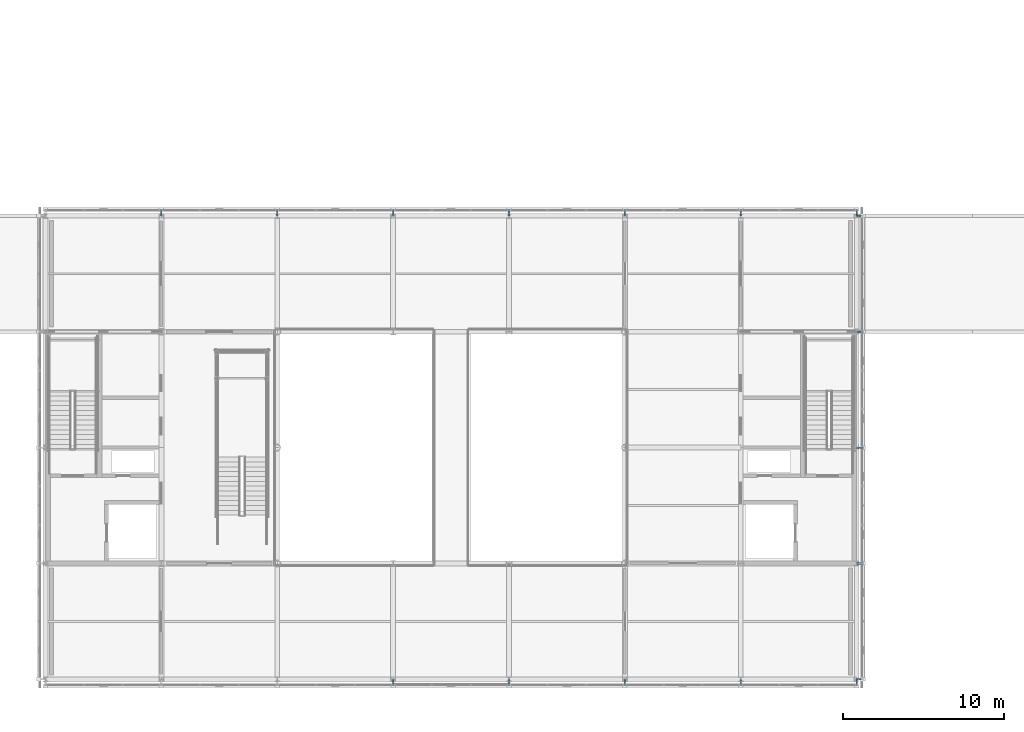
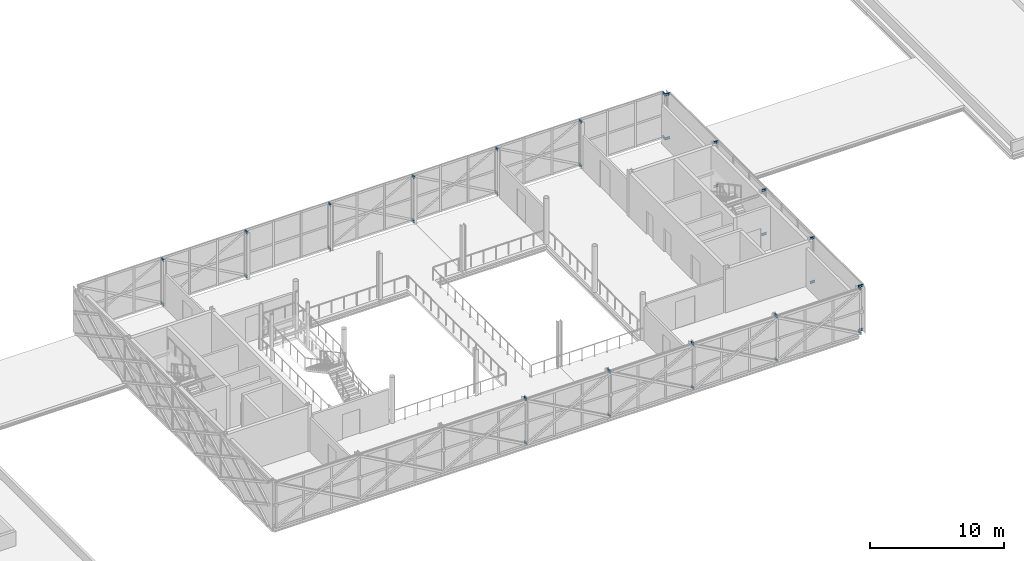
# One storey, part 62 of 103: 34 beams.
"""IFC4 building model written with IfcOpenShell, lengths in metres."""

from ifc_helpers import new_model, si_unit, direction, frame, origin, origin_2d, place, context, subcontext, project, spatial, i_section, extrude, material, material_profile, profile_set, type_object, element, save


model = new_model("IFC4")

# Units and contexts
model_context = context("Model", 3, precision=1e-05, world=origin(), true_north=direction((0.0, 1.0)))
body_context = subcontext(model_context, "Body", "Model", "MODEL_VIEW")
ifc_project = project(units=[si_unit("LENGTHUNIT", "METRE"), si_unit("AREAUNIT", "SQUARE_METRE"), si_unit("VOLUMEUNIT", "CUBIC_METRE"), si_unit("PLANEANGLEUNIT", "RADIAN"), si_unit("MASSUNIT", "GRAM", prefix="KILO")], contexts=[model_context])

# Site, building, storey
site_placement = place(None, origin())
site = spatial("IfcSite", under=ifc_project, at=site_placement, CompositionType="ELEMENT")
building_placement = place(site_placement, origin())
building = spatial("IfcBuilding", under=site, at=building_placement, Name="Zlatovets Crest Museum", CompositionType="ELEMENT")
storey_placement = place(building_placement, frame((0.0, 0.0, 12.89990234375)))
storey = spatial("IfcBuildingStorey", under=building, at=storey_placement, Name="L03", CompositionType="ELEMENT", Elevation=12.89990234375)

# Beams
ifc_material = material(Name="Structural steel S355J2", Category="steel")
ifc_material_profile = material_profile(ifc_material, i_section(OverallWidth=0.10009765625, OverallDepth=0.199951171875, WebThickness=0.005615234375, FlangeThickness=0.008544921875, FilletRadius=0.011962890625, at=origin_2d()), Name="IPE 200")
ifc_profile_set = profile_set([ifc_material_profile], Name="Structural steel S355J2")
beam_type = type_object("IfcBeamType", Name="Beam_PR-02", PredefinedType="LINTEL", material=ifc_profile_set)
for number, where, z_axis, x_axis, name in (
    (1, (79.199951171875, 0.0, 0.10009765625), (0.0, -1.0, 0.0), (1.0, 0.0, 0.0), "Lattice Structural Outrigger Tie"),
    (2, (79.199951171875, 0.0, 4.10009765625), (0.0, -1.0, 0.0), (1.0, 0.0, 0.0), "Lattice Structural Outrigger Tie"),
    (3, (86.39990234375, 0.0, 0.10009765625), (0.0, -1.0, 0.0), (1.0, 0.0, 0.0), "Lattice Structural Outrigger Tie"),
    (4, (86.39990234375, 0.0, 4.10009765625), (0.0, -1.0, 0.0), (1.0, 0.0, 0.0), "Lattice Structural Outrigger Tie"),
    (5, (93.60009765625, 0.0, 0.10009765625), (0.0, -1.0, 0.0), (1.0, 0.0, 0.0), "Lattice Structural Outrigger Tie"),
    (6, (93.60009765625, 0.0, 4.10009765625), (0.0, -1.0, 0.0), (1.0, 0.0, 0.0), "Lattice Structural Outrigger Tie"),
    (7, (100.800048828125, 0.0, 0.10009765625), (0.0, -1.0, 0.0), (1.0, 0.0, 0.0), "Lattice Structural Outrigger Tie"),
    (8, (100.800048828125, 0.0, 4.10009765625), (0.0, -1.0, 0.0), (1.0, 0.0, 0.0), "Lattice Structural Outrigger Tie"),
    (9, (108.0, 0.0, 0.10009765625), (0.0, -1.0, 0.0), (1.0, 0.0, 0.0), "Lattice Structural Outrigger Tie"),
    (10, (108.0, 0.0, 4.10009765625), (0.0, -1.0, 0.0), (1.0, 0.0, 0.0), "Lattice Structural Outrigger Tie"),
    (11, (108.0, 0.0, 0.10009765625), (1.0, 0.0, 0.0), (0.0, 1.0, 0.0), "Lattice Structural Outrigger Tie"),
    (12, (108.0, 0.0, 4.10009765625), (1.0, 0.0, 0.0), (0.0, 1.0, 0.0), "Lattice Structural Outrigger Tie"),
    (13, (108.0, 7.199951171875, 0.10009765625), (1.0, 0.0, 0.0), (0.0, 1.0, 0.0), "Lattice Structural Outrigger Tie"),
    (14, (108.0, 7.199951171875, 4.10009765625), (1.0, 0.0, 0.0), (0.0, 1.0, 0.0), "Lattice Structural Outrigger Tie"),
    (15, (108.0, 14.39990234375, 0.10009765625), (1.0, 0.0, 0.0), (0.0, 1.0, 0.0), "Lattice Structural Outrigger Tie"),
    (16, (108.0, 14.39990234375, 4.10009765625), (1.0, 0.0, 0.0), (0.0, 1.0, 0.0), "Lattice Structural Outrigger Tie"),
    (17, (108.0, 21.60009765625, 0.10009765625), (1.0, 0.0, 0.0), (0.0, 1.0, 0.0), "Lattice Structural Outrigger Tie"),
    (18, (108.0, 21.60009765625, 4.10009765625), (1.0, 0.0, 0.0), (0.0, 1.0, 0.0), "Lattice Structural Outrigger Tie"),
    (19, (108.0, 28.800048828125, 0.10009765625), (1.0, 0.0, 0.0), (0.0, 1.0, 0.0), "Lattice Structural Outrigger Tie"),
    (20, (108.0, 28.800048828125, 4.10009765625), (1.0, 0.0, 0.0), (0.0, 1.0, 0.0), "Lattice Structural Outrigger Tie"),
    (21, (108.0, 28.800048828125, 0.10009765625), (0.0, 1.0, 0.0), (-1.0, 0.0, 0.0), "Lattice Structural Outrigger Tie"),
    (22, (108.0, 28.800048828125, 4.10009765625), (0.0, 1.0, 0.0), (-1.0, 0.0, 0.0), "Lattice Structural Outrigger Tie"),
    (23, (100.800048828125, 28.800048828125, 0.10009765625), (0.0, 1.0, 0.0), (-1.0, 0.0, 0.0), "Lattice Structural Outrigger Tie"),
    (24, (100.800048828125, 28.800048828125, 4.10009765625), (0.0, 1.0, 0.0), (-1.0, 0.0, 0.0), "Lattice Structural Outrigger Tie"),
    (25, (93.60009765625, 28.800048828125, 0.10009765625), (0.0, 1.0, 0.0), (-1.0, 0.0, 0.0), "Lattice Structural Outrigger Tie"),
    (26, (93.60009765625, 28.800048828125, 4.10009765625), (0.0, 1.0, 0.0), (-1.0, 0.0, 0.0), "Lattice Structural Outrigger Tie"),
    (27, (86.39990234375, 28.800048828125, 0.10009765625), (0.0, 1.0, 0.0), (-1.0, 0.0, 0.0), "Lattice Structural Outrigger Tie"),
    (28, (86.39990234375, 28.800048828125, 4.10009765625), (0.0, 1.0, 0.0), (-1.0, 0.0, 0.0), "Lattice Structural Outrigger Tie"),
    (29, (79.199951171875, 28.800048828125, 0.10009765625), (0.0, 1.0, 0.0), (-1.0, 0.0, 0.0), "Lattice Structural Outrigger Tie"),
    (30, (79.199951171875, 28.800048828125, 4.10009765625), (0.0, 1.0, 0.0), (-1.0, 0.0, 0.0), "Lattice Structural Outrigger Tie"),
    (31, (72.0, 28.800048828125, 0.10009765625), (0.0, 1.0, 0.0), (-1.0, 0.0, 0.0), "Lattice Structural Outrigger Tie"),
    (32, (72.0, 28.800048828125, 4.10009765625), (0.0, 1.0, 0.0), (-1.0, 0.0, 0.0), "Lattice Structural Outrigger Tie"),
    (33, (64.800048828125, 28.800048828125, 0.10009765625), (0.0, 1.0, 0.0), (-1.0, 0.0, 0.0), "Lattice Structural Outrigger Tie"),
    (34, (64.800048828125, 28.800048828125, 4.10009765625), (0.0, 1.0, 0.0), (-1.0, 0.0, 0.0), "Lattice Structural Outrigger Tie"),
):
    element("IfcBeam", number, at=place(storey_placement, frame(where, z_axis=z_axis, x_axis=x_axis)), inside=storey, type_object=beam_type, Name=name, PredefinedType="LINTEL", context=body_context, shape_type="SweptSolid", body=[
        extrude(i_section(OverallWidth=0.10009765625, OverallDepth=0.199951171875, WebThickness=0.005615234375, FlangeThickness=0.008544921875, FilletRadius=0.011962890625, at=origin_2d()), origin(), (0.0, 0.0, 1.0), 0.419921875),
    ])

save(model, "model.ifc")
